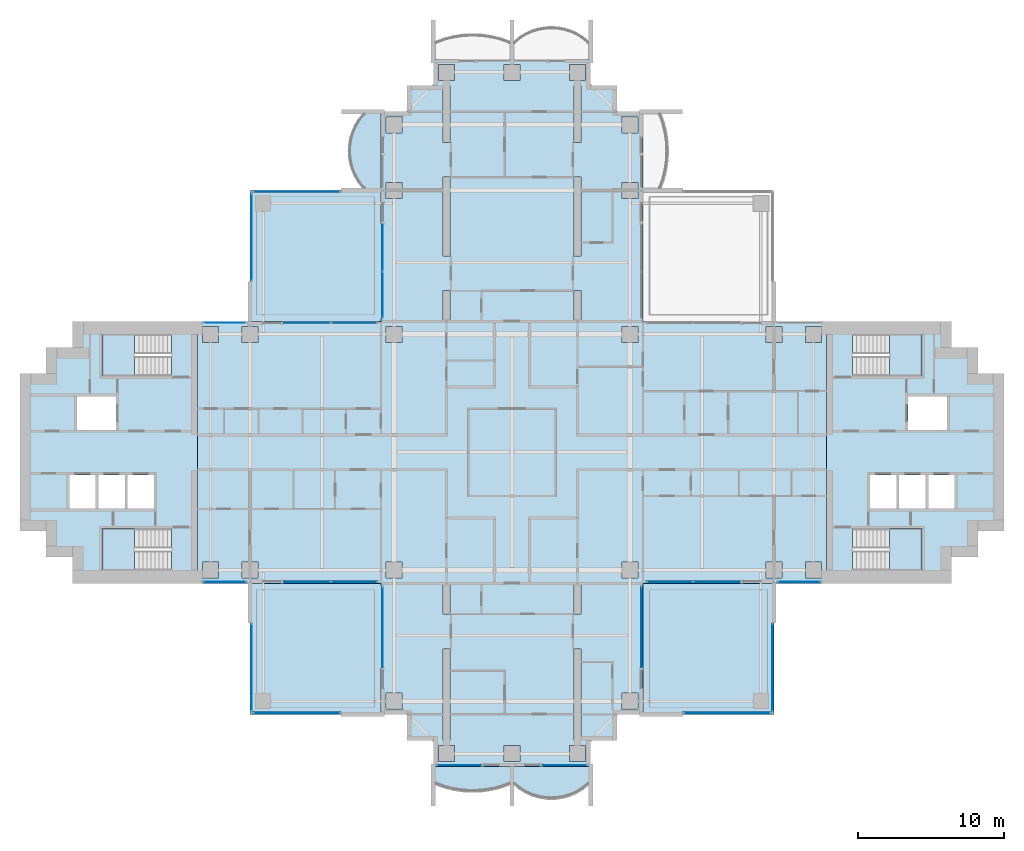
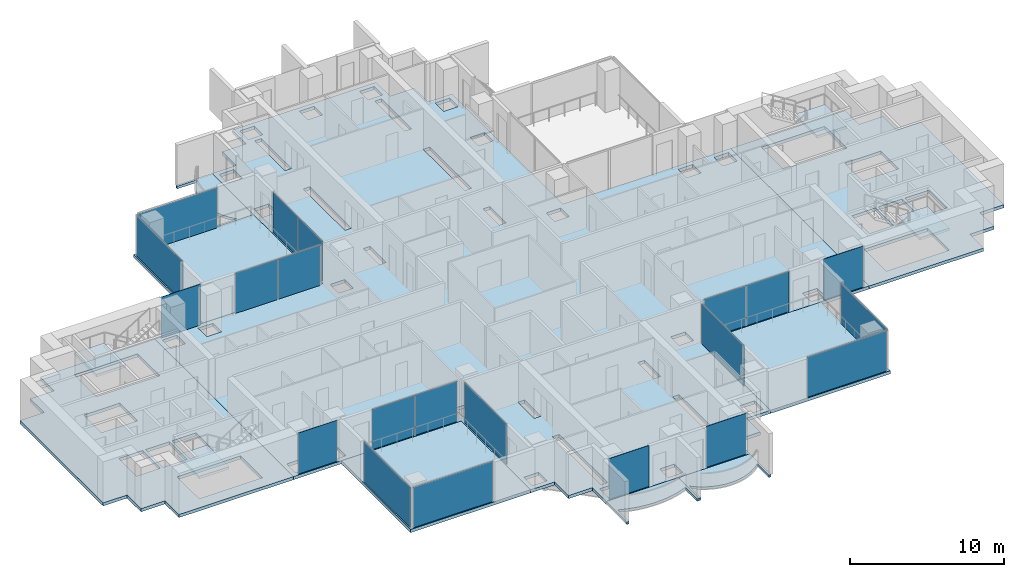
# One storey, part 7 of 18: 21 plates, 13 slabs, 21 elements without a shape of their own.
"""IFC4 building model written with IfcOpenShell, lengths in metres."""

import ifcopenshell
import ifcopenshell.guid

model = None  # the IFC model being written
_history = None  # IfcOwnerHistory: only IFC2X3 demands one
_inside = {}  # id of a spatial element -> (the spatial element, [elements in it])
_under = {}  # id of a project, library or spatial element -> (it, [spatial elements below it])
_declared = {}  # id of a project -> (the project, [libraries it declares])
_typed = {}  # id of a type object -> (the type object, [elements of that type])
_made_of = {}  # id of a material, layer set ... -> (it, [elements and type objects made of it])


def new_model(schema):
    """Start an empty IFC model of exactly this schema.

    Asked for "IFC4X3", IfcOpenShell would pick the latest addendum, in which some entities
    have other attributes; the version numbers below select the first issue.
    IFC2X3 requires an IfcOwnerHistory on every rooted entity: one is made here for all.
    """
    global model, _history
    if schema == "IFC4X3":
        model = ifcopenshell.file(schema_version=(4, 3, 0, 0))
    else:
        model = ifcopenshell.file(schema=schema)
    _inside.clear()
    _under.clear()
    _declared.clear()
    _typed.clear()
    _made_of.clear()
    _history = None
    if model.schema == "IFC2X3":
        org = make("IfcOrganization", Name="unknown")
        user = make(
            "IfcPersonAndOrganization",
            ThePerson=make("IfcPerson", FamilyName="unknown"),
            TheOrganization=org,
        )
        app = make(
            "IfcApplication",
            ApplicationDeveloper=org,
            Version="unknown",
            ApplicationFullName="unknown",
            ApplicationIdentifier="unknown",
        )
        _history = make(
            "IfcOwnerHistory",
            OwningUser=user,
            OwningApplication=app,
            ChangeAction="ADDED",
            CreationDate=0,
        )
    return model


def make(cls, **values):
    """One entity of the class cls with the attributes given. An attribute that is None is left unset."""
    return model.create_entity(
        cls, **{name: value for name, value in values.items() if value is not None}
    )


def rooted(cls, **values):
    """An entity with a GlobalId (a new one), such as an element, a storey or a relation."""
    return make(cls, GlobalId=ifcopenshell.guid.new(), OwnerHistory=_history, **values)


def si_unit(unit_type, name, prefix=None):
    """IfcSIUnit, for example si_unit("LENGTHUNIT", "METRE", prefix="MILLI")."""
    return make("IfcSIUnit", UnitType=unit_type, Prefix=prefix, Name=name)


def assignment(units):
    """IfcUnitAssignment: the units of a project."""
    return None if units is None else make("IfcUnitAssignment", Units=units)


def point(xyz):
    """IfcCartesianPoint."""
    return None if xyz is None else make("IfcCartesianPoint", Coordinates=xyz)


def direction(xyz):
    """IfcDirection."""
    return None if xyz is None else make("IfcDirection", DirectionRatios=xyz)


def frame(location, z_axis=None, x_axis=None):
    """IfcAxis2Placement3D, a coordinate frame: its origin and axes. An axis left out is left unset."""
    return make(
        "IfcAxis2Placement3D",
        Location=point(location),
        Axis=direction(z_axis),
        RefDirection=direction(x_axis),
    )


def frame_2d(location, x_axis=None):
    """IfcAxis2Placement2D, a coordinate frame in the plane: its origin and x axis."""
    return make(
        "IfcAxis2Placement2D", Location=point(location), RefDirection=direction(x_axis)
    )


def origin():
    """The frame at (0, 0, 0) with its axes left unset."""
    return frame((0.0, 0.0, 0.0))


def origin_2d():
    """The frame at (0, 0) in the plane with its x axis left unset."""
    return frame_2d((0.0, 0.0))


def place(relative_to, where):
    """IfcLocalPlacement: puts the frame where relative to a parent placement (None: the world)."""
    return make(
        "IfcLocalPlacement", PlacementRelTo=relative_to, RelativePlacement=where
    )


def context(
    kind, dimensions, precision=None, world=None, true_north=None, identifier=None
):
    """IfcGeometricRepresentationContext, for example the 3D "Model" context."""
    return make(
        "IfcGeometricRepresentationContext",
        ContextIdentifier=identifier,
        ContextType=kind,
        CoordinateSpaceDimension=dimensions,
        Precision=precision,
        WorldCoordinateSystem=world,
        TrueNorth=true_north,
    )


def subcontext(parent, identifier, kind, view, scale=None):
    """IfcGeometricRepresentationSubContext, for example "Body" below "Model"."""
    return make(
        "IfcGeometricRepresentationSubContext",
        ContextIdentifier=identifier,
        ContextType=kind,
        ParentContext=parent,
        TargetScale=scale,
        TargetView=view,
    )


def project(units=None, contexts=None):
    """IfcProject with its units and contexts."""
    return rooted(
        "IfcProject",
        Name="project",
        RepresentationContexts=contexts,
        UnitsInContext=assignment(units),
    )


def spatial(cls, under=None, at=None, **own):
    """A site, building, storey or space (cls), placed at a placement, below another one or the project."""
    s = rooted(cls, ObjectPlacement=at, **own)
    if under is not None:
        _under.setdefault(under.id(), (under, []))[1].append(s)
    return s


def polyline(points):
    """IfcPolyline through the points."""
    return make("IfcPolyline", Points=[point(p) for p in points])


def profile(cls, at=None, kind="AREA", **sizes):
    """A parametric profile (cls). Its sizes go by their IFC names, for example OverallWidth=200.0."""
    return make(cls, ProfileType=kind, Position=at, **sizes)


def rectangle(**sizes):
    """IfcRectangleProfileDef."""
    return profile("IfcRectangleProfileDef", **sizes)


def outline(outer, holes=None, kind="AREA"):
    """IfcArbitraryClosedProfileDef: a profile drawn as a closed curve; with holes, ...WithVoids."""
    if holes is None:
        return make("IfcArbitraryClosedProfileDef", ProfileType=kind, OuterCurve=outer)
    return make(
        "IfcArbitraryProfileDefWithVoids",
        ProfileType=kind,
        OuterCurve=outer,
        InnerCurves=holes,
    )


def extrude(swept, where, along, depth):
    """IfcExtrudedAreaSolid: the profile swept, set in the frame where, extruded along a direction by depth."""
    return make(
        "IfcExtrudedAreaSolid",
        SweptArea=swept,
        Position=where,
        ExtrudedDirection=direction(along),
        Depth=depth,
    )


def shape(context_of_items, identifier, shape_type, items):
    """IfcShapeRepresentation: the items that make up one representation, for example the "Body"."""
    return make(
        "IfcShapeRepresentation",
        ContextOfItems=context_of_items,
        RepresentationIdentifier=identifier,
        RepresentationType=shape_type,
        Items=items,
    )


def material(Name=None, Category=None):
    """IfcMaterial."""
    return make("IfcMaterial", Name=Name, Category=Category)


def layer(
    of_material, thickness, ventilated=None, Name=None, Category=None, Priority=None
):
    """IfcMaterialLayer: one layer of a wall or slab, of a material (None: an air gap)."""
    return make(
        "IfcMaterialLayer",
        Material=of_material,
        LayerThickness=thickness,
        IsVentilated=ventilated,
        Name=Name,
        Category=Category,
        Priority=Priority,
    )


def layer_set(layers, Name=None):
    """IfcMaterialLayerSet."""
    return make("IfcMaterialLayerSet", MaterialLayers=layers, LayerSetName=Name)


def made_of(thing, what):
    """Note that an element or type object is made of a material, layer set ...; save() writes the relation."""
    if what is not None:
        _made_of.setdefault(what.id(), (what, []))[1].append(thing)
    return thing


def type_object(cls, material=None, **own):
    """A type object (cls), such as IfcWallType, which elements share."""
    return made_of(rooted(cls, **own), material)


def element(
    cls,
    number,
    at=None,
    inside=None,
    cuts=None,
    type_object=None,
    material=None,
    context=None,
    identifier="Body",
    shape_type=None,
    held_by="IfcProductDefinitionShape",
    body=None,
    shapes=None,
    **own,
):
    """One element of the class cls, such as IfcWall. Its Tag is "e" and its number.

    at: its placement. inside: the storey or other place that contains it. cuts: it is an
    opening in that element (IfcRelVoidsElement). A single representation is given by context,
    identifier, shape_type and body (its items); several are given by shapes. held_by: the class
    of the entity that holds the representations. save() writes the other relations.
    """
    e = rooted(cls, Tag="e%d" % number, ObjectPlacement=at, **own)
    if body is not None:
        shapes = [shape(context, identifier, shape_type, body)]
    if shapes is not None:
        e.Representation = make(held_by, Representations=shapes)
    if inside is not None:
        _inside.setdefault(inside.id(), (inside, []))[1].append(e)
    if cuts is not None:
        rooted(
            "IfcRelVoidsElement", RelatingBuildingElement=cuts, RelatedOpeningElement=e
        )
    if type_object is not None:
        _typed.setdefault(type_object.id(), (type_object, []))[1].append(e)
    return made_of(e, material)


def aggregate(whole, parts):
    """IfcRelAggregates: a whole, such as a stair, and the parts it consists of."""
    return rooted("IfcRelAggregates", RelatingObject=whole, RelatedObjects=parts)


def save(model, path):
    """Write the relations noted so far, then the file.

    IfcRelAggregates (storeys below a building ...), IfcRelContainedInSpatialStructure (elements
    in a storey), IfcRelDefinesByType, IfcRelAssociatesMaterial and IfcRelDeclares: one each for
    every whole, place, type object, material and project.
    """
    for whole, parts in _under.values():
        aggregate(whole, parts)
    for where, things in _inside.values():
        rooted(
            "IfcRelContainedInSpatialStructure",
            RelatedElements=things,
            RelatingStructure=where,
        )
    for kind, things in _typed.values():
        rooted("IfcRelDefinesByType", RelatedObjects=things, RelatingType=kind)
    for what, things in _made_of.values():
        rooted("IfcRelAssociatesMaterial", RelatedObjects=things, RelatingMaterial=what)
    for by, libraries in _declared.values():
        rooted("IfcRelDeclares", RelatingContext=by, RelatedDefinitions=libraries)
    model.write(path)


model = new_model("IFC4")

# Units and contexts
model_context = context("Model", 3, precision=1e-05, world=origin(), true_north=direction((0.0, 1.0)))
body_context = subcontext(model_context, "Body", "Model", "MODEL_VIEW")
ifc_project = project(units=[si_unit("LENGTHUNIT", "METRE"), si_unit("AREAUNIT", "SQUARE_METRE"), si_unit("VOLUMEUNIT", "CUBIC_METRE"), si_unit("PLANEANGLEUNIT", "RADIAN"), si_unit("MASSUNIT", "GRAM", prefix="KILO")], contexts=[model_context])

# Site, building, storey
site_placement = place(None, origin())
site = spatial("IfcSite", under=ifc_project, at=site_placement, CompositionType="ELEMENT")
building_placement = place(site_placement, origin())
building = spatial("IfcBuilding", under=site, at=building_placement, Name="Perihelion Cross Residences", CompositionType="ELEMENT")
storey_placement = place(building_placement, frame((0.0, 0.0, 123.39990234375)))
storey = spatial("IfcBuildingStorey", under=building, at=storey_placement, Name="L29", CompositionType="ELEMENT", Elevation=123.39990234375)

# Slabs
ifc_material_1 = material(Name="Concrete C40/50", Category="concrete")
ifc_layer_1 = layer(ifc_material_1, 0.199951171875)
ifc_layer_set_1 = layer_set([ifc_layer_1], Name="Balcony slab 200")
slab_type_1 = type_object("IfcSlabType", Name="Balcony slab 200", PredefinedType="FLOOR", material=ifc_layer_set_1)
slab_1_placement = place(storey_placement, frame((0.0, 0.0, -0.199951171875)))
element("IfcSlab", 1, at=slab_1_placement, inside=storey, type_object=slab_type_1, Name="Slab BK1 L29 north side west bay 1 balcony", PredefinedType="FLOOR", context=body_context, shape_type="SweptSolid", body=[
    extrude(outline(polyline([(-9.0, 23.39990234375), (-9.0, 18.0), (-11.699951171875, 18.0), (-11.699951171875, 18.14990234375), (-10.199951171875, 18.14990234375), (-10.5400390625, 18.574951171875), (-10.792724609375, 19.0), (-10.9765625, 19.425048828125), (-11.1025390625, 19.85009765625), (-11.17578125, 20.27490234375), (-11.199951171875, 20.699951171875), (-11.17578125, 21.125), (-11.1025390625, 21.550048828125), (-10.9765625, 21.97509765625), (-10.792724609375, 22.39990234375), (-10.5400390625, 22.824951171875), (-10.199951171875, 23.25), (-11.699951171875, 23.25), (-11.699951171875, 23.39990234375), (-9.0, 23.39990234375)])), origin(), (0.0, 0.0, 1.0), 0.199951171875),
])
slab_2_placement = place(storey_placement, frame((0.0, 0.0, -0.199951171875)))
element("IfcSlab", 2, at=slab_2_placement, inside=storey, type_object=slab_type_1, Name="Slab BK1 L29 south tip south bay 1 balcony", PredefinedType="FLOOR", context=body_context, shape_type="SweptSolid", body=[
    extrude(outline(polyline([(-5.39990234375, -21.60009765625), (0.0, -21.60009765625), (0.0, -24.300048828125), (-0.14990234375, -24.300048828125), (-0.14990234375, -22.800048828125), (-0.78759765625, -23.0234375), (-1.425048828125, -23.178466796875), (-2.0625, -23.269775390625), (-2.699951171875, -23.300048828125), (-3.33740234375, -23.269775390625), (-3.97509765625, -23.178466796875), (-4.612548828125, -23.0234375), (-5.25, -22.800048828125), (-5.25, -24.300048828125), (-5.39990234375, -24.300048828125), (-5.39990234375, -21.60009765625)])), origin(), (0.0, 0.0, 1.0), 0.199951171875),
])
slab_3_placement = place(storey_placement, frame((0.0, 0.0, -0.199951171875)))
element("IfcSlab", 3, at=slab_3_placement, inside=storey, type_object=slab_type_1, Name="Slab BK1 L29 south tip south bay 2 balcony", PredefinedType="FLOOR", context=body_context, shape_type="SweptSolid", body=[
    extrude(outline(polyline([(0.0, -21.60009765625), (5.39990234375, -21.60009765625), (5.39990234375, -24.300048828125), (5.25, -24.300048828125), (5.25, -22.800048828125), (4.824951171875, -23.14013671875), (4.39990234375, -23.392578125), (3.97509765625, -23.57666015625), (3.550048828125, -23.702392578125), (3.125, -23.77587890625), (2.699951171875, -23.800048828125), (2.27490234375, -23.77587890625), (1.85009765625, -23.702392578125), (1.425048828125, -23.57666015625), (1.0, -23.392578125), (0.574951171875, -23.14013671875), (0.14990234375, -22.800048828125), (0.14990234375, -24.300048828125), (0.0, -24.300048828125), (0.0, -21.60009765625)])), origin(), (0.0, 0.0, 1.0), 0.199951171875),
])

# Curtain wall, plates
ifc_material_2 = material(Name="Bronze anodised aluminium, tinted glazing", Category="aluminium")
curtain_wall_type_1 = type_object("IfcCurtainWallType", Name="CW1", PredefinedType="NOTDEFINED", material=ifc_material_2)
curtain_wall_1_placement = place(storey_placement, origin())
curtain_wall_1 = element("IfcCurtainWall", 4, at=curtain_wall_1_placement, inside=storey, type_object=curtain_wall_type_1, Name="Curtain wall CW1 L29 north side west bay 2", PredefinedType="NOTDEFINED")
ifc_material_3 = material(Name="Tinted laminated glass", Category="glass")
ifc_layer_2 = layer(ifc_material_3, 0.028076171875)
ifc_layer_set_2 = layer_set([ifc_layer_2], Name="CW1 panel")
plate_type_1 = type_object("IfcPlateType", Name="CW1 panel", PredefinedType="CURTAIN_PANEL", material=ifc_layer_set_2)
plate_1_placement = place(storey_placement, frame((-8.89990234375, 14.052490234375, 0.000244140625), z_axis=(0.0, 0.0, 1.0), x_axis=(0.0, -1.0, 0.0)))
plate_1 = element("IfcPlate", 5, at=plate_1_placement, type_object=plate_type_1, Name="CW1 panel 1", PredefinedType="CURTAIN_PANEL", context=body_context, shape_type="SweptSolid", body=[
    extrude(rectangle(XDim=3.195068359375, YDim=0.028076171875, at=origin_2d()), origin(), (0.0, 0.0, 1.0), 3.18994140625),
])
plate_2_placement = place(storey_placement, frame((-8.89990234375, 10.827392578125, 0.000244140625), z_axis=(0.0, 0.0, 1.0), x_axis=(0.0, -1.0, 0.0)))
plate_2 = element("IfcPlate", 6, at=plate_2_placement, type_object=plate_type_1, Name="CW1 panel 2", PredefinedType="CURTAIN_PANEL", context=body_context, shape_type="SweptSolid", body=[
    extrude(rectangle(XDim=3.135009765625, YDim=0.028076171875, at=origin_2d()), origin(), (0.0, 0.0, 1.0), 3.18994140625),
])
aggregate(curtain_wall_1, [plate_1, plate_2])

curtain_wall_2_placement = place(storey_placement, origin())
curtain_wall_2 = element("IfcCurtainWall", 7, at=curtain_wall_2_placement, inside=storey, type_object=curtain_wall_type_1, Name="Curtain wall CW1 L29 west side north bay 1", PredefinedType="NOTDEFINED")
plate_3_placement = place(storey_placement, frame((-10.827392578125, 8.89990234375, 0.000244140625), z_axis=(0.0, 0.0, 1.0), x_axis=(-1.0, 0.0, 0.0)))
plate_3 = element("IfcPlate", 8, at=plate_3_placement, type_object=plate_type_1, Name="CW1 panel 1", PredefinedType="CURTAIN_PANEL", context=body_context, shape_type="SweptSolid", body=[
    extrude(rectangle(XDim=3.135009765625, YDim=0.028076171875, at=origin_2d()), origin(), (0.0, 0.0, 1.0), 3.18994140625),
])
plate_4_placement = place(storey_placement, frame((-14.052490234375, 8.89990234375, 0.000244140625), z_axis=(0.0, 0.0, 1.0), x_axis=(-1.0, 0.0, 0.0)))
plate_4 = element("IfcPlate", 9, at=plate_4_placement, type_object=plate_type_1, Name="CW1 panel 2", PredefinedType="CURTAIN_PANEL", context=body_context, shape_type="SweptSolid", body=[
    extrude(rectangle(XDim=3.195068359375, YDim=0.028076171875, at=origin_2d()), origin(), (0.0, 0.0, 1.0), 3.18994140625),
])
aggregate(curtain_wall_2, [plate_3, plate_4])

# Curtain wall, plate
curtain_wall_3_placement = place(storey_placement, origin())
curtain_wall_3 = element("IfcCurtainWall", 10, at=curtain_wall_3_placement, inside=storey, type_object=curtain_wall_type_1, Name="Curtain wall CW1 L29 west side north bay 2", PredefinedType="NOTDEFINED")
plate_5_placement = place(storey_placement, frame((-19.72509765625, 8.89990234375, 0.0), z_axis=(0.0, 0.0, 1.0), x_axis=(-1.0, 0.0, 0.0)))
plate_5 = element("IfcPlate", 11, at=plate_5_placement, type_object=plate_type_1, Name="CW1 panel 1", PredefinedType="CURTAIN_PANEL", context=body_context, shape_type="SweptSolid", body=[
    extrude(rectangle(XDim=2.929931640625, YDim=0.028076171875, at=origin_2d()), origin(), (0.0, 0.0, 1.0), 3.25),
])
aggregate(curtain_wall_3, [plate_5])

curtain_wall_4_placement = place(storey_placement, origin())
curtain_wall_4 = element("IfcCurtainWall", 12, at=curtain_wall_4_placement, inside=storey, type_object=curtain_wall_type_1, Name="Curtain wall CW1 L29 west side south bay 1", PredefinedType="NOTDEFINED")
plate_6_placement = place(storey_placement, frame((-19.72509765625, -8.89990234375, 0.0), z_axis=(0.0, 0.0, 1.0), x_axis=(1.0, 0.0, 0.0)))
plate_6 = element("IfcPlate", 13, at=plate_6_placement, type_object=plate_type_1, Name="CW1 panel 1", PredefinedType="CURTAIN_PANEL", context=body_context, shape_type="SweptSolid", body=[
    extrude(rectangle(XDim=2.929931640625, YDim=0.028076171875, at=origin_2d()), origin(), (0.0, 0.0, 1.0), 3.25),
])
aggregate(curtain_wall_4, [plate_6])

# Curtain wall, plates
curtain_wall_5_placement = place(storey_placement, origin())
curtain_wall_5 = element("IfcCurtainWall", 14, at=curtain_wall_5_placement, inside=storey, type_object=curtain_wall_type_1, Name="Curtain wall CW1 L29 west side south bay 2", PredefinedType="NOTDEFINED")
plate_7_placement = place(storey_placement, frame((-14.052490234375, -8.89990234375, 0.000244140625), z_axis=(0.0, 0.0, 1.0), x_axis=(1.0, 0.0, 0.0)))
plate_7 = element("IfcPlate", 15, at=plate_7_placement, type_object=plate_type_1, Name="CW1 panel 1", PredefinedType="CURTAIN_PANEL", context=body_context, shape_type="SweptSolid", body=[
    extrude(rectangle(XDim=3.195068359375, YDim=0.028076171875, at=origin_2d()), origin(), (0.0, 0.0, 1.0), 3.18994140625),
])
plate_8_placement = place(storey_placement, frame((-10.827392578125, -8.89990234375, 0.000244140625), z_axis=(0.0, 0.0, 1.0), x_axis=(1.0, 0.0, 0.0)))
plate_8 = element("IfcPlate", 16, at=plate_8_placement, type_object=plate_type_1, Name="CW1 panel 2", PredefinedType="CURTAIN_PANEL", context=body_context, shape_type="SweptSolid", body=[
    extrude(rectangle(XDim=3.135009765625, YDim=0.028076171875, at=origin_2d()), origin(), (0.0, 0.0, 1.0), 3.18994140625),
])
aggregate(curtain_wall_5, [plate_7, plate_8])

# Curtain wall, plate
curtain_wall_6_placement = place(storey_placement, origin())
curtain_wall_6 = element("IfcCurtainWall", 17, at=curtain_wall_6_placement, inside=storey, type_object=curtain_wall_type_1, Name="Curtain wall CW1 L29 south side west bay 1", PredefinedType="NOTDEFINED")
plate_9_placement = place(storey_placement, frame((-8.89990234375, -12.0048828125, 0.000244140625), z_axis=(0.0, 0.0, 1.0), x_axis=(0.0, -1.0, 0.0)))
plate_9 = element("IfcPlate", 18, at=plate_9_placement, type_object=plate_type_1, Name="CW1 panel 1", PredefinedType="CURTAIN_PANEL", context=body_context, shape_type="SweptSolid", body=[
    extrude(rectangle(XDim=5.489990234375, YDim=0.028076171875, at=origin_2d()), origin(), (0.0, 0.0, 1.0), 3.18994140625),
])
aggregate(curtain_wall_6, [plate_9])

curtain_wall_7_placement = place(storey_placement, origin())
curtain_wall_7 = element("IfcCurtainWall", 19, at=curtain_wall_7_placement, inside=storey, type_object=curtain_wall_type_1, Name="Curtain wall CW1 L29 south tip south bay 1", PredefinedType="NOTDEFINED")
plate_10_placement = place(storey_placement, frame((-3.64501953125, -21.5, 0.0), z_axis=(0.0, 0.0, 1.0), x_axis=(1.0, 0.0, 0.0)))
plate_10 = element("IfcPlate", 20, at=plate_10_placement, type_object=plate_type_1, Name="CW1 panel 1", PredefinedType="CURTAIN_PANEL", context=body_context, shape_type="SweptSolid", body=[
    extrude(rectangle(XDim=2.989990234375, YDim=0.028076171875, at=origin_2d()), origin(), (0.0, 0.0, 1.0), 3.25),
])
aggregate(curtain_wall_7, [plate_10])

curtain_wall_8_placement = place(storey_placement, origin())
curtain_wall_8 = element("IfcCurtainWall", 21, at=curtain_wall_8_placement, inside=storey, type_object=curtain_wall_type_1, Name="Curtain wall CW1 L29 south tip south bay 2", PredefinedType="NOTDEFINED")
plate_11_placement = place(storey_placement, frame((3.64501953125, -21.5, 0.0), z_axis=(0.0, 0.0, 1.0), x_axis=(1.0, 0.0, 0.0)))
plate_11 = element("IfcPlate", 22, at=plate_11_placement, type_object=plate_type_1, Name="CW1 panel 1", PredefinedType="CURTAIN_PANEL", context=body_context, shape_type="SweptSolid", body=[
    extrude(rectangle(XDim=2.989990234375, YDim=0.028076171875, at=origin_2d()), origin(), (0.0, 0.0, 1.0), 3.25),
])
aggregate(curtain_wall_8, [plate_11])

curtain_wall_9_placement = place(storey_placement, origin())
curtain_wall_9 = element("IfcCurtainWall", 23, at=curtain_wall_9_placement, inside=storey, type_object=curtain_wall_type_1, Name="Curtain wall CW1 L29 south side east bay 1", PredefinedType="NOTDEFINED")
plate_12_placement = place(storey_placement, frame((8.89990234375, -12.0048828125, 0.000244140625), z_axis=(0.0, 0.0, 1.0), x_axis=(0.0, 1.0, 0.0)))
plate_12 = element("IfcPlate", 24, at=plate_12_placement, type_object=plate_type_1, Name="CW1 panel 1", PredefinedType="CURTAIN_PANEL", context=body_context, shape_type="SweptSolid", body=[
    extrude(rectangle(XDim=5.489990234375, YDim=0.028076171875, at=origin_2d()), origin(), (0.0, 0.0, 1.0), 3.18994140625),
])
aggregate(curtain_wall_9, [plate_12])

# Curtain wall, plates
curtain_wall_10_placement = place(storey_placement, origin())
curtain_wall_10 = element("IfcCurtainWall", 25, at=curtain_wall_10_placement, inside=storey, type_object=curtain_wall_type_1, Name="Curtain wall CW1 L29 east side south bay 1", PredefinedType="NOTDEFINED")
plate_13_placement = place(storey_placement, frame((10.827392578125, -8.89990234375, 0.000244140625), z_axis=(0.0, 0.0, 1.0), x_axis=(1.0, 0.0, 0.0)))
plate_13 = element("IfcPlate", 26, at=plate_13_placement, type_object=plate_type_1, Name="CW1 panel 1", PredefinedType="CURTAIN_PANEL", context=body_context, shape_type="SweptSolid", body=[
    extrude(rectangle(XDim=3.135009765625, YDim=0.028076171875, at=origin_2d()), origin(), (0.0, 0.0, 1.0), 3.18994140625),
])
plate_14_placement = place(storey_placement, frame((14.052490234375, -8.89990234375, 0.000244140625), z_axis=(0.0, 0.0, 1.0), x_axis=(1.0, 0.0, 0.0)))
plate_14 = element("IfcPlate", 27, at=plate_14_placement, type_object=plate_type_1, Name="CW1 panel 2", PredefinedType="CURTAIN_PANEL", context=body_context, shape_type="SweptSolid", body=[
    extrude(rectangle(XDim=3.195068359375, YDim=0.028076171875, at=origin_2d()), origin(), (0.0, 0.0, 1.0), 3.18994140625),
])
aggregate(curtain_wall_10, [plate_13, plate_14])

# Curtain wall, plate
curtain_wall_11_placement = place(storey_placement, origin())
curtain_wall_11 = element("IfcCurtainWall", 28, at=curtain_wall_11_placement, inside=storey, type_object=curtain_wall_type_1, Name="Curtain wall CW1 L29 east side south bay 2", PredefinedType="NOTDEFINED")
plate_15_placement = place(storey_placement, frame((19.72509765625, -8.89990234375, 0.0), z_axis=(0.0, 0.0, 1.0), x_axis=(1.0, 0.0, 0.0)))
plate_15 = element("IfcPlate", 29, at=plate_15_placement, type_object=plate_type_1, Name="CW1 panel 1", PredefinedType="CURTAIN_PANEL", context=body_context, shape_type="SweptSolid", body=[
    extrude(rectangle(XDim=2.929931640625, YDim=0.028076171875, at=origin_2d()), origin(), (0.0, 0.0, 1.0), 3.25),
])
aggregate(curtain_wall_11, [plate_15])

ifc_material_4 = material(Name="Bronze anodised aluminium, tinted glazing", Category="aluminium")
curtain_wall_type_2 = type_object("IfcCurtainWallType", Name="CW4", PredefinedType="NOTDEFINED", material=ifc_material_4)
curtain_wall_12_placement = place(storey_placement, origin())
curtain_wall_12 = element("IfcCurtainWall", 30, at=curtain_wall_12_placement, inside=storey, type_object=curtain_wall_type_2, Name="Curtain wall CW4 L29 pocket north-west 1 1", PredefinedType="NOTDEFINED")
ifc_material_5 = material(Name="Tinted laminated glass", Category="glass")
ifc_layer_3 = layer(ifc_material_5, 0.030029296875)
ifc_layer_set_3 = layer_set([ifc_layer_3], Name="CW4 panel")
plate_type_2 = type_object("IfcPlateType", Name="CW4 panel", PredefinedType="CURTAIN_PANEL", material=ifc_layer_set_3)
plate_16_placement = place(storey_placement, frame((-17.89990234375, 14.784912109375, 0.000244140625), z_axis=(0.0, 0.0, 1.0), x_axis=(0.0, 1.0, 0.0)))
plate_16 = element("IfcPlate", 31, at=plate_16_placement, type_object=plate_type_2, Name="CW4 panel 1", PredefinedType="CURTAIN_PANEL", context=body_context, shape_type="SweptSolid", body=[
    extrude(rectangle(XDim=5.969970703125, YDim=0.030029296875, at=origin_2d()), origin(), (0.0, 0.0, 1.0), 3.18994140625),
])
aggregate(curtain_wall_12, [plate_16])

curtain_wall_13_placement = place(storey_placement, origin())
curtain_wall_13 = element("IfcCurtainWall", 32, at=curtain_wall_13_placement, inside=storey, type_object=curtain_wall_type_2, Name="Curtain wall CW4 L29 pocket north-west 1 2", PredefinedType="NOTDEFINED")
plate_17_placement = place(storey_placement, frame((-14.784912109375, 17.89990234375, 0.000244140625), z_axis=(0.0, 0.0, 1.0), x_axis=(1.0, 0.0, 0.0)))
plate_17 = element("IfcPlate", 33, at=plate_17_placement, type_object=plate_type_2, Name="CW4 panel 1", PredefinedType="CURTAIN_PANEL", context=body_context, shape_type="SweptSolid", body=[
    extrude(rectangle(XDim=5.969970703125, YDim=0.030029296875, at=origin_2d()), origin(), (0.0, 0.0, 1.0), 3.18994140625),
])
aggregate(curtain_wall_13, [plate_17])

curtain_wall_14_placement = place(storey_placement, origin())
curtain_wall_14 = element("IfcCurtainWall", 34, at=curtain_wall_14_placement, inside=storey, type_object=curtain_wall_type_2, Name="Curtain wall CW4 L29 pocket south-east 1 1", PredefinedType="NOTDEFINED")
plate_18_placement = place(storey_placement, frame((17.89990234375, -14.784912109375, 0.000244140625), z_axis=(0.0, 0.0, 1.0), x_axis=(0.0, -1.0, 0.0)))
plate_18 = element("IfcPlate", 35, at=plate_18_placement, type_object=plate_type_2, Name="CW4 panel 1", PredefinedType="CURTAIN_PANEL", context=body_context, shape_type="SweptSolid", body=[
    extrude(rectangle(XDim=5.969970703125, YDim=0.030029296875, at=origin_2d()), origin(), (0.0, 0.0, 1.0), 3.18994140625),
])
aggregate(curtain_wall_14, [plate_18])

curtain_wall_15_placement = place(storey_placement, origin())
curtain_wall_15 = element("IfcCurtainWall", 36, at=curtain_wall_15_placement, inside=storey, type_object=curtain_wall_type_2, Name="Curtain wall CW4 L29 pocket south-east 1 2", PredefinedType="NOTDEFINED")
plate_19_placement = place(storey_placement, frame((14.784912109375, -17.89990234375, 0.000244140625), z_axis=(0.0, 0.0, 1.0), x_axis=(-1.0, 0.0, 0.0)))
plate_19 = element("IfcPlate", 37, at=plate_19_placement, type_object=plate_type_2, Name="CW4 panel 1", PredefinedType="CURTAIN_PANEL", context=body_context, shape_type="SweptSolid", body=[
    extrude(rectangle(XDim=5.969970703125, YDim=0.030029296875, at=origin_2d()), origin(), (0.0, 0.0, 1.0), 3.18994140625),
])
aggregate(curtain_wall_15, [plate_19])

curtain_wall_16_placement = place(storey_placement, origin())
curtain_wall_16 = element("IfcCurtainWall", 38, at=curtain_wall_16_placement, inside=storey, type_object=curtain_wall_type_2, Name="Curtain wall CW4 L29 pocket south-west 1 1", PredefinedType="NOTDEFINED")
plate_20_placement = place(storey_placement, frame((-14.784912109375, -17.89990234375, 0.000244140625), z_axis=(0.0, 0.0, 1.0), x_axis=(-1.0, 0.0, 0.0)))
plate_20 = element("IfcPlate", 39, at=plate_20_placement, type_object=plate_type_2, Name="CW4 panel 1", PredefinedType="CURTAIN_PANEL", context=body_context, shape_type="SweptSolid", body=[
    extrude(rectangle(XDim=5.969970703125, YDim=0.030029296875, at=origin_2d()), origin(), (0.0, 0.0, 1.0), 3.18994140625),
])
aggregate(curtain_wall_16, [plate_20])

curtain_wall_17_placement = place(storey_placement, origin())
curtain_wall_17 = element("IfcCurtainWall", 40, at=curtain_wall_17_placement, inside=storey, type_object=curtain_wall_type_2, Name="Curtain wall CW4 L29 pocket south-west 1 2", PredefinedType="NOTDEFINED")
plate_21_placement = place(storey_placement, frame((-17.89990234375, -14.784912109375, 0.000244140625), z_axis=(0.0, 0.0, 1.0), x_axis=(0.0, 1.0, 0.0)))
plate_21 = element("IfcPlate", 41, at=plate_21_placement, type_object=plate_type_2, Name="CW4 panel 1", PredefinedType="CURTAIN_PANEL", context=body_context, shape_type="SweptSolid", body=[
    extrude(rectangle(XDim=5.969970703125, YDim=0.030029296875, at=origin_2d()), origin(), (0.0, 0.0, 1.0), 3.18994140625),
])
aggregate(curtain_wall_17, [plate_21])

# Slabs
ifc_material_6 = material(Name="Concrete C40/50", Category="concrete")
ifc_layer_4 = layer(ifc_material_6, 0.25)
ifc_layer_set_4 = layer_set([ifc_layer_4], Name="Core floor slab 250")
slab_type_2 = type_object("IfcSlabType", Name="Core floor slab 250", PredefinedType="FLOOR", material=ifc_layer_set_4)
slab_4_placement = place(storey_placement, frame((0.0, 0.0, -0.25)))
element("IfcSlab", 42, at=slab_4_placement, inside=storey, type_object=slab_type_2, Name="East core floor slab", PredefinedType="FLOOR", context=body_context, shape_type="SweptSolid", body=[
    extrude(outline(polyline([(30.199951171875, 7.199951171875), (32.0, 7.199951171875), (32.0, 5.39990234375), (33.800048828125, 5.39990234375), (33.800048828125, -5.39990234375), (32.0, -5.39990234375), (32.0, -7.199951171875), (30.199951171875, -7.199951171875), (30.199951171875, -9.0), (21.60009765625, -9.0), (21.60009765625, 9.0), (30.199951171875, 9.0), (30.199951171875, 7.199951171875)]), holes=[polyline([(28.14990234375, -8.10009765625), (28.14990234375, -5.25), (23.405029296875, -5.25), (23.405029296875, -8.10009765625), (28.14990234375, -8.10009765625)]), polyline([(24.60009765625, -1.550048828125), (24.60009765625, -3.85009765625), (26.39990234375, -3.85009765625), (26.39990234375, -1.550048828125), (24.60009765625, -1.550048828125)]), polyline([(26.60009765625, -1.550048828125), (26.60009765625, -3.85009765625), (28.39990234375, -3.85009765625), (28.39990234375, -1.550048828125), (26.60009765625, -1.550048828125)]), polyline([(28.60009765625, -3.85009765625), (30.39990234375, -3.85009765625), (30.39990234375, -1.550048828125), (28.60009765625, -1.550048828125), (28.60009765625, -3.85009765625)]), polyline([(27.199951171875, 3.85009765625), (27.199951171875, 1.550048828125), (29.89990234375, 1.550048828125), (29.89990234375, 3.85009765625), (27.199951171875, 3.85009765625)]), polyline([(23.405029296875, 5.25), (28.14990234375, 5.25), (28.14990234375, 8.10009765625), (23.405029296875, 8.10009765625), (23.405029296875, 5.25)])]), origin(), (0.0, 0.0, 1.0), 0.25),
])
slab_5_placement = place(storey_placement, frame((0.0, 0.0, -0.25)))
element("IfcSlab", 43, at=slab_5_placement, inside=storey, type_object=slab_type_2, Name="West core floor slab", PredefinedType="FLOOR", context=body_context, shape_type="SweptSolid", body=[
    extrude(outline(polyline([(-30.199951171875, 7.199951171875), (-32.0, 7.199951171875), (-32.0, 5.39990234375), (-33.800048828125, 5.39990234375), (-33.800048828125, -5.39990234375), (-32.0, -5.39990234375), (-32.0, -7.199951171875), (-30.199951171875, -7.199951171875), (-30.199951171875, -9.0), (-21.60009765625, -9.0), (-21.60009765625, 9.0), (-30.199951171875, 9.0), (-30.199951171875, 7.199951171875)]), holes=[polyline([(-28.14990234375, -8.10009765625), (-28.14990234375, -5.25), (-23.405029296875, -5.25), (-23.405029296875, -8.10009765625), (-28.14990234375, -8.10009765625)]), polyline([(-24.60009765625, -1.550048828125), (-24.60009765625, -3.85009765625), (-26.39990234375, -3.85009765625), (-26.39990234375, -1.550048828125), (-24.60009765625, -1.550048828125)]), polyline([(-26.60009765625, -1.550048828125), (-26.60009765625, -3.85009765625), (-28.39990234375, -3.85009765625), (-28.39990234375, -1.550048828125), (-26.60009765625, -1.550048828125)]), polyline([(-28.60009765625, -3.85009765625), (-30.39990234375, -3.85009765625), (-30.39990234375, -1.550048828125), (-28.60009765625, -1.550048828125), (-28.60009765625, -3.85009765625)]), polyline([(-27.199951171875, 3.85009765625), (-27.199951171875, 1.550048828125), (-29.89990234375, 1.550048828125), (-29.89990234375, 3.85009765625), (-27.199951171875, 3.85009765625)]), polyline([(-23.405029296875, 5.25), (-28.14990234375, 5.25), (-28.14990234375, 8.10009765625), (-23.405029296875, 8.10009765625), (-23.405029296875, 5.25)])]), origin(), (0.0, 0.0, 1.0), 0.25),
])

# Stair, slab
ifc_material_7 = material(Name="Concrete C40/50", Category="concrete")
stair_type = type_object("IfcStairType", Name="Exit stair, half-turn", PredefinedType="HALF_TURN_STAIR", material=ifc_material_7)
stair_1_placement = place(storey_placement, origin())
stair_1 = element("IfcStair", 44, at=stair_1_placement, inside=storey, type_object=stair_type, Name="L29 East core exit stair 1", PredefinedType="HALF_TURN_STAIR")
ifc_material_8 = material(Name="Concrete C40/50", Category="concrete")
ifc_layer_5 = layer(ifc_material_8, 0.199951171875)
ifc_layer_set_5 = layer_set([ifc_layer_5], Name="Exit stair landing 200")
slab_type_3 = type_object("IfcSlabType", Name="Exit stair landing 200", PredefinedType="LANDING", material=ifc_layer_set_5)
slab_6_placement = place(storey_placement, frame((0.0, 0.0, 1.550048828125)))
slab_6 = element("IfcSlab", 45, at=slab_6_placement, type_object=slab_type_3, Name="ST-E1 landing 1", PredefinedType="LANDING", context=body_context, shape_type="SweptSolid", body=[
    extrude(outline(polyline([(25.919921875, 5.25), (28.14990234375, 5.25), (28.14990234375, 8.10009765625), (25.919921875, 8.10009765625), (25.919921875, 5.25)])), origin(), (0.0, 0.0, 1.0), 0.199951171875),
])
aggregate(stair_1, [slab_6])

stair_2_placement = place(storey_placement, origin())
stair_2 = element("IfcStair", 46, at=stair_2_placement, inside=storey, type_object=stair_type, Name="L29 East core exit stair 2", PredefinedType="HALF_TURN_STAIR")
slab_7_placement = place(storey_placement, frame((0.0, 0.0, 1.550048828125)))
slab_7 = element("IfcSlab", 47, at=slab_7_placement, type_object=slab_type_3, Name="ST-E2 landing 1", PredefinedType="LANDING", context=body_context, shape_type="SweptSolid", body=[
    extrude(outline(polyline([(25.919921875, -8.10009765625), (28.14990234375, -8.10009765625), (28.14990234375, -5.25), (25.919921875, -5.25), (25.919921875, -8.10009765625)])), origin(), (0.0, 0.0, 1.0), 0.199951171875),
])
aggregate(stair_2, [slab_7])

stair_3_placement = place(storey_placement, origin())
stair_3 = element("IfcStair", 48, at=stair_3_placement, inside=storey, type_object=stair_type, Name="L29 West core exit stair 1", PredefinedType="HALF_TURN_STAIR")
slab_8_placement = place(storey_placement, frame((0.0, 0.0, 1.550048828125)))
slab_8 = element("IfcSlab", 49, at=slab_8_placement, type_object=slab_type_3, Name="ST-W1 landing 1", PredefinedType="LANDING", context=body_context, shape_type="SweptSolid", body=[
    extrude(outline(polyline([(-25.919921875, 8.10009765625), (-28.14990234375, 8.10009765625), (-28.14990234375, 5.25), (-25.919921875, 5.25), (-25.919921875, 8.10009765625)])), origin(), (0.0, 0.0, 1.0), 0.199951171875),
])
aggregate(stair_3, [slab_8])

stair_4_placement = place(storey_placement, origin())
stair_4 = element("IfcStair", 50, at=stair_4_placement, inside=storey, type_object=stair_type, Name="L29 West core exit stair 2", PredefinedType="HALF_TURN_STAIR")
slab_9_placement = place(storey_placement, frame((0.0, 0.0, 1.550048828125)))
slab_9 = element("IfcSlab", 51, at=slab_9_placement, type_object=slab_type_3, Name="ST-W2 landing 1", PredefinedType="LANDING", context=body_context, shape_type="SweptSolid", body=[
    extrude(outline(polyline([(-25.919921875, -5.25), (-28.14990234375, -5.25), (-28.14990234375, -8.10009765625), (-25.919921875, -8.10009765625), (-25.919921875, -5.25)])), origin(), (0.0, 0.0, 1.0), 0.199951171875),
])
aggregate(stair_4, [slab_9])

# Slabs
ifc_material_9 = material(Name="Concrete C50/60", Category="concrete")
ifc_layer_6 = layer(ifc_material_9, 0.25)
ifc_layer_set_6 = layer_set([ifc_layer_6], Name="Residential floor post-tensioned slab concrete C50/60")
slab_type_4 = type_object("IfcSlabType", Name="Residential floor post-tensioned slab concrete C50/60", PredefinedType="FLOOR", material=ifc_layer_set_6)
slab_10_placement = place(storey_placement, frame((0.0, 0.0, -0.25)))
element("IfcSlab", 52, at=slab_10_placement, inside=storey, type_object=slab_type_4, Name="Slab SL8 L29 1 no. 1", PredefinedType="FLOOR", context=body_context, shape_type="SweptSolid", body=[
    extrude(outline(polyline([(-9.0, 9.0), (-9.0, 23.39990234375), (-7.199951171875, 23.39990234375), (-7.199951171875, 25.199951171875), (-5.39990234375, 25.199951171875), (-5.39990234375, 27.0), (5.39990234375, 27.0), (5.39990234375, 25.199951171875), (7.199951171875, 25.199951171875), (7.199951171875, 23.39990234375), (9.0, 23.39990234375), (9.0, 9.0), (21.60009765625, 9.0), (21.60009765625, -9.0), (9.0, -9.0), (9.0, -18.0), (7.199951171875, -18.0), (7.199951171875, -19.800048828125), (5.39990234375, -19.800048828125), (5.39990234375, -21.60009765625), (-5.39990234375, -21.60009765625), (-5.39990234375, -19.800048828125), (-7.199951171875, -19.800048828125), (-7.199951171875, -18.0), (-9.0, -18.0), (-9.0, -9.0), (-21.60009765625, -9.0), (-21.60009765625, 9.0), (-9.0, 9.0)]), holes=[polyline([(0.550048828125, -21.25), (0.550048828125, -20.14990234375), (-0.550048828125, -20.14990234375), (-0.550048828125, -21.25), (0.550048828125, -21.25)]), polyline([(-3.949951171875, -21.25), (-3.949951171875, -20.14990234375), (-5.050048828125, -20.14990234375), (-5.050048828125, -21.25), (-3.949951171875, -21.25)]), polyline([(-7.550048828125, -17.64990234375), (-7.550048828125, -16.550048828125), (-8.64990234375, -16.550048828125), (-8.64990234375, -17.64990234375), (-7.550048828125, -17.64990234375)]), polyline([(-4.25, -19.800048828125), (-4.25, -13.5), (-4.75, -13.5), (-4.75, -19.800048828125), (-4.25, -19.800048828125)]), polyline([(-4.25, -11.10009765625), (-4.25, -9.0), (-4.75, -9.0), (-4.75, -11.10009765625), (-4.25, -11.10009765625)]), polyline([(-20.14990234375, -8.64990234375), (-20.14990234375, -7.550048828125), (-21.25, -7.550048828125), (-21.25, -8.64990234375), (-20.14990234375, -8.64990234375)]), polyline([(-7.550048828125, -8.64990234375), (-7.550048828125, -7.550048828125), (-8.64990234375, -7.550048828125), (-8.64990234375, -8.64990234375), (-7.550048828125, -8.64990234375)]), polyline([(-18.550048828125, -8.64990234375), (-17.449951171875, -8.64990234375), (-17.449951171875, -7.550048828125), (-18.550048828125, -7.550048828125), (-18.550048828125, -8.64990234375)]), polyline([(-7.550048828125, 7.550048828125), (-7.550048828125, 8.64990234375), (-8.64990234375, 8.64990234375), (-8.64990234375, 7.550048828125), (-7.550048828125, 7.550048828125)]), polyline([(-17.449951171875, 7.550048828125), (-17.449951171875, 8.64990234375), (-18.550048828125, 8.64990234375), (-18.550048828125, 7.550048828125), (-17.449951171875, 7.550048828125)]), polyline([(-20.14990234375, 7.550048828125), (-20.14990234375, 8.64990234375), (-21.25, 8.64990234375), (-21.25, 7.550048828125), (-20.14990234375, 7.550048828125)]), polyline([(-4.25, 9.0), (-4.25, 11.10009765625), (-4.75, 11.10009765625), (-4.75, 9.0), (-4.25, 9.0)]), polyline([(-4.25, 13.5), (-4.25, 18.89990234375), (-4.75, 18.89990234375), (-4.75, 13.5), (-4.25, 13.5)]), polyline([(-7.550048828125, 17.449951171875), (-7.550048828125, 18.550048828125), (-8.64990234375, 18.550048828125), (-8.64990234375, 17.449951171875), (-7.550048828125, 17.449951171875)]), polyline([(-7.550048828125, 21.949951171875), (-7.550048828125, 23.050048828125), (-8.64990234375, 23.050048828125), (-8.64990234375, 21.949951171875), (-7.550048828125, 21.949951171875)]), polyline([(-4.75, 21.300048828125), (-4.25, 21.300048828125), (-4.25, 25.199951171875), (-4.75, 25.199951171875), (-4.75, 21.300048828125)]), polyline([(-5.050048828125, 25.550048828125), (-3.949951171875, 25.550048828125), (-3.949951171875, 26.64990234375), (-5.050048828125, 26.64990234375), (-5.050048828125, 25.550048828125)]), polyline([(5.050048828125, -21.25), (5.050048828125, -20.14990234375), (3.949951171875, -20.14990234375), (3.949951171875, -21.25), (5.050048828125, -21.25)]), polyline([(8.64990234375, -17.64990234375), (8.64990234375, -16.550048828125), (7.550048828125, -16.550048828125), (7.550048828125, -17.64990234375), (8.64990234375, -17.64990234375)]), polyline([(4.75, -19.800048828125), (4.75, -13.5), (4.25, -13.5), (4.25, -19.800048828125), (4.75, -19.800048828125)]), polyline([(4.75, -11.10009765625), (4.75, -9.0), (4.25, -9.0), (4.25, -11.10009765625), (4.75, -11.10009765625)]), polyline([(21.25, -8.64990234375), (21.25, -7.550048828125), (20.14990234375, -7.550048828125), (20.14990234375, -8.64990234375), (21.25, -8.64990234375)]), polyline([(18.550048828125, -8.64990234375), (18.550048828125, -7.550048828125), (17.449951171875, -7.550048828125), (17.449951171875, -8.64990234375), (18.550048828125, -8.64990234375)]), polyline([(8.64990234375, -8.64990234375), (8.64990234375, -7.550048828125), (7.550048828125, -7.550048828125), (7.550048828125, -8.64990234375), (8.64990234375, -8.64990234375)]), polyline([(7.550048828125, 7.550048828125), (8.64990234375, 7.550048828125), (8.64990234375, 8.64990234375), (7.550048828125, 8.64990234375), (7.550048828125, 7.550048828125)]), polyline([(18.550048828125, 7.550048828125), (18.550048828125, 8.64990234375), (17.449951171875, 8.64990234375), (17.449951171875, 7.550048828125), (18.550048828125, 7.550048828125)]), polyline([(21.25, 7.550048828125), (21.25, 8.64990234375), (20.14990234375, 8.64990234375), (20.14990234375, 7.550048828125), (21.25, 7.550048828125)]), polyline([(4.75, 9.0), (4.75, 11.10009765625), (4.25, 11.10009765625), (4.25, 9.0), (4.75, 9.0)]), polyline([(4.75, 13.5), (4.75, 18.89990234375), (4.25, 18.89990234375), (4.25, 13.5), (4.75, 13.5)]), polyline([(8.64990234375, 17.449951171875), (8.64990234375, 18.550048828125), (7.550048828125, 18.550048828125), (7.550048828125, 17.449951171875), (8.64990234375, 17.449951171875)]), polyline([(8.64990234375, 21.949951171875), (8.64990234375, 23.050048828125), (7.550048828125, 23.050048828125), (7.550048828125, 21.949951171875), (8.64990234375, 21.949951171875)]), polyline([(4.75, 21.300048828125), (4.75, 25.199951171875), (4.25, 25.199951171875), (4.25, 21.300048828125), (4.75, 21.300048828125)]), polyline([(3.949951171875, 25.550048828125), (5.050048828125, 25.550048828125), (5.050048828125, 26.64990234375), (3.949951171875, 26.64990234375), (3.949951171875, 25.550048828125)]), polyline([(-0.550048828125, 25.550048828125), (0.550048828125, 25.550048828125), (0.550048828125, 26.64990234375), (-0.550048828125, 26.64990234375), (-0.550048828125, 25.550048828125)])]), origin(), (0.0, 0.0, 1.0), 0.25),
])
ifc_material_10 = material(Name="Concrete C40/50", Category="concrete")
ifc_layer_7 = layer(ifc_material_10, 0.25)
ifc_layer_set_7 = layer_set([ifc_layer_7], Name="Winter garden slab")
slab_type_5 = type_object("IfcSlabType", Name="Winter garden slab", PredefinedType="FLOOR", material=ifc_layer_set_7)
slab_11_placement = place(storey_placement, frame((0.0, 0.0, -0.25)))
element("IfcSlab", 53, at=slab_11_placement, inside=storey, type_object=slab_type_5, Name="Slab BK3 L29 pocket north-west", PredefinedType="FLOOR", context=body_context, shape_type="SweptSolid", body=[
    extrude(outline(polyline([(-9.0, 9.0), (-9.0, 18.0), (-18.0, 18.0), (-18.0, 9.0), (-9.0, 9.0)])), origin(), (0.0, 0.0, 1.0), 0.25),
])
slab_12_placement = place(storey_placement, frame((0.0, 0.0, -0.25)))
element("IfcSlab", 54, at=slab_12_placement, inside=storey, type_object=slab_type_5, Name="Slab BK3 L29 pocket south-west", PredefinedType="FLOOR", context=body_context, shape_type="SweptSolid", body=[
    extrude(outline(polyline([(-9.0, -18.0), (-9.0, -9.0), (-18.0, -9.0), (-18.0, -18.0), (-9.0, -18.0)])), origin(), (0.0, 0.0, 1.0), 0.25),
])
slab_13_placement = place(storey_placement, frame((0.0, 0.0, -0.25)))
element("IfcSlab", 55, at=slab_13_placement, inside=storey, type_object=slab_type_5, Name="Slab BK3 L29 pocket south-east", PredefinedType="FLOOR", context=body_context, shape_type="SweptSolid", body=[
    extrude(outline(polyline([(18.0, -18.0), (18.0, -9.0), (9.0, -9.0), (9.0, -18.0), (18.0, -18.0)])), origin(), (0.0, 0.0, 1.0), 0.25),
])

save(model, "model.ifc")
